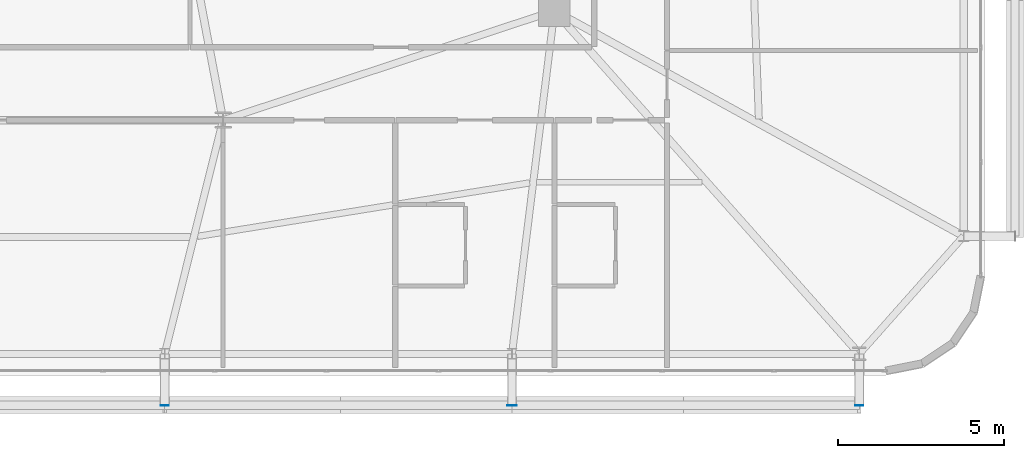
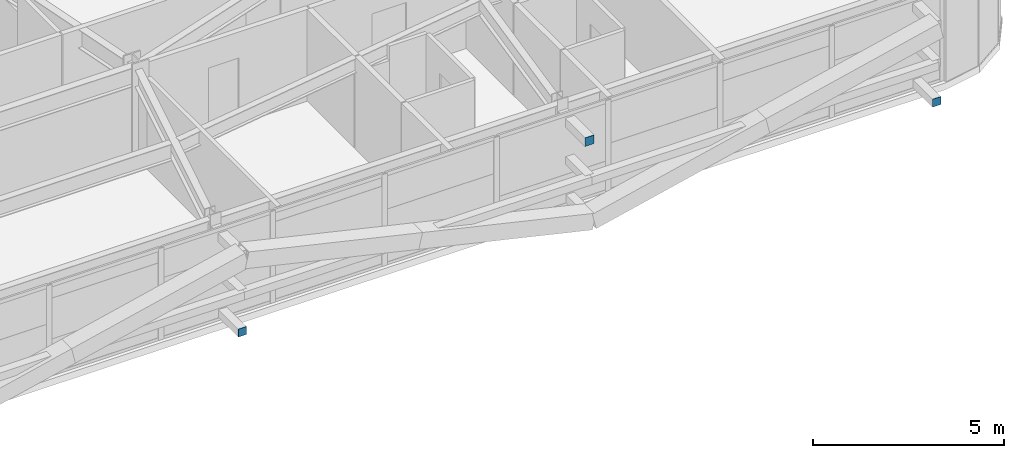
# One storey, part 47 of 59: 3 plates.
"""IFC4 building model written with IfcOpenShell, lengths in metres."""

from ifc_helpers import new_model, si_unit, direction, frame, origin, origin_2d, place, context, subcontext, project, spatial, rectangle, extrude, source, transform, mapped, material, layer, layer_set, type_object, element, save


model = new_model("IFC4")

# Units and contexts
model_context = context("Model", 3, precision=1e-05, world=origin(), true_north=direction((0.0, 1.0)))
body_context = subcontext(model_context, "Body", "Model", "MODEL_VIEW")
ifc_project = project(units=[si_unit("LENGTHUNIT", "METRE"), si_unit("AREAUNIT", "SQUARE_METRE"), si_unit("VOLUMEUNIT", "CUBIC_METRE"), si_unit("PLANEANGLEUNIT", "RADIAN"), si_unit("MASSUNIT", "GRAM", prefix="KILO")], contexts=[model_context])

# Site, building, storey
site_placement = place(None, origin())
site = spatial("IfcSite", under=ifc_project, at=site_placement, CompositionType="ELEMENT")
building_placement = place(site_placement, origin())
building = spatial("IfcBuilding", under=site, at=building_placement, Name="Taldren Reach Tower", CompositionType="ELEMENT")
storey_placement = place(building_placement, frame((0.0, 0.0, 29.39990234375)))
storey = spatial("IfcBuildingStorey", under=building, at=storey_placement, Name="L08", CompositionType="ELEMENT", Elevation=29.39990234375)

# Plates
ifc_material_1 = material(Name="Steel Gr 450 (C450L0)", Category="steel")
ifc_layer_1 = layer(ifc_material_1, 0.011962890625)
ifc_layer_set_1 = layer_set([ifc_layer_1], Name="Steel Gr 450 (C450L0)")
plate_type_1 = type_object("IfcPlateType", Name="PL-CAP-275", PredefinedType="SHEET", material=ifc_layer_set_1)
shared_shape_1 = source(origin(), body_context, "Body", "SweptSolid", [
    extrude(rectangle(XDim=0.27490234375, YDim=0.011962890625, at=origin_2d()), origin(), (0.0, 0.0, 1.0), 0.27490234375),
])
plate_placement = place(storey_placement, frame((50.719970703125, 0.593994140625, 2.5126953125), z_axis=(0.0, 0.0, 1.0), x_axis=(1.0, 0.0, 0.0)))
element("IfcPlate", 1, at=plate_placement, inside=storey, type_object=plate_type_1, Name="Tie strut end cap plate B1-S5 L08", PredefinedType="SHEET", context=body_context, shape_type="MappedRepresentation", body=[
    mapped(shared_shape_1, transform((0.0, 0.0, 0.0), scale=1.0)),
])
ifc_material_2 = material(Name="Steel Gr 350 (C350L0)", Category="steel")
ifc_layer_2 = layer(ifc_material_2, 0.011962890625)
ifc_layer_set_2 = layer_set([ifc_layer_2], Name="Steel Gr 350 (C350L0)")
plate_type_2 = type_object("IfcPlateType", Name="PL-CAP-250", PredefinedType="SHEET", material=ifc_layer_set_2)
shared_shape_2 = source(origin(), body_context, "Body", "SweptSolid", [
    extrude(rectangle(XDim=0.25, YDim=0.011962890625, at=origin_2d()), origin(), (0.0, 0.0, 1.0), 0.25),
])
for number, where, z_axis, x_axis, name in (
    (2, (40.239990234375, 0.593994140625, 0.09521484375), (0.0, 0.0, 1.0), (1.0, 0.0, 0.0), "Tie strut end cap plate B1-S4 L08"),
    (3, (61.199951171875, 0.593994140625, 0.09521484375), (0.0, 0.0, 1.0), (1.0, 0.0, 0.0), "Tie strut end cap plate B1-S6 L08"),
):
    element("IfcPlate", number, at=place(storey_placement, frame(where, z_axis=z_axis, x_axis=x_axis)), inside=storey, type_object=plate_type_2, Name=name, PredefinedType="SHEET", context=body_context, shape_type="MappedRepresentation", body=[
        mapped(shared_shape_2, transform((0.0, 0.0, 0.0), scale=1.0)),
    ])

save(model, "model.ifc")
